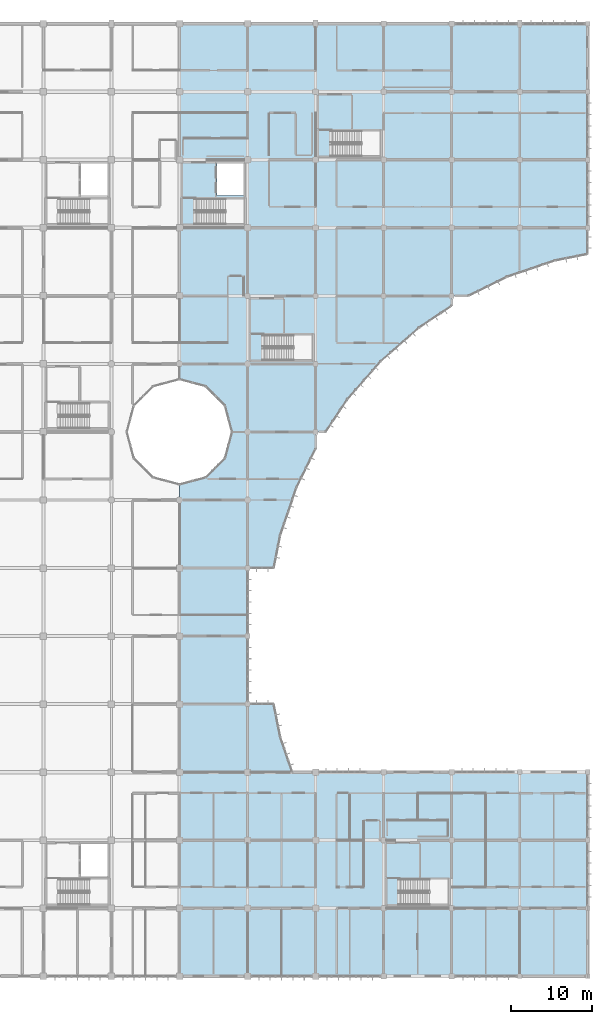
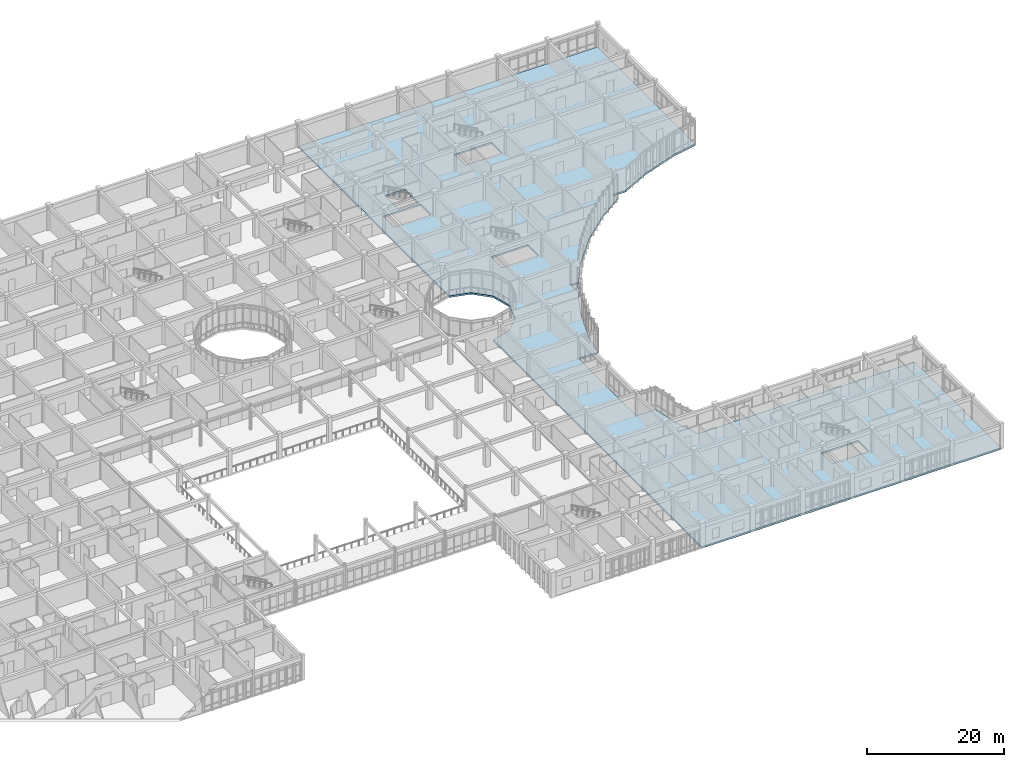
# One storey, part 87 of 144: 1 slab.
"""IFC4 building model written with IfcOpenShell, lengths in metres."""

from ifc_helpers import new_model, si_unit, direction, frame, origin, place, context, subcontext, project, spatial, polyline, outline, extrude, material, layer, layer_set, type_object, element, save


model = new_model("IFC4")

# Units and contexts
model_context = context("Model", 3, precision=1e-05, world=origin(), true_north=direction((0.0, 1.0)))
body_context = subcontext(model_context, "Body", "Model", "MODEL_VIEW")
ifc_project = project(units=[si_unit("LENGTHUNIT", "METRE"), si_unit("AREAUNIT", "SQUARE_METRE"), si_unit("VOLUMEUNIT", "CUBIC_METRE"), si_unit("PLANEANGLEUNIT", "RADIAN"), si_unit("MASSUNIT", "GRAM", prefix="KILO")], contexts=[model_context])

# Site, building, storey
site_placement = place(None, origin())
site = spatial("IfcSite", under=ifc_project, at=site_placement, CompositionType="ELEMENT")
building_placement = place(site_placement, origin())
building = spatial("IfcBuilding", under=site, at=building_placement, Name="Bramfleet General Hospital", CompositionType="ELEMENT")
storey_placement = place(building_placement, frame((0.0, 0.0, 4.800048828125)))
storey = spatial("IfcBuildingStorey", under=building, at=storey_placement, Name="L01", CompositionType="ELEMENT", Elevation=4.800048828125)

# Slab
ifc_material = material(Name="Concrete C35/45", Category="concrete")
ifc_layer = layer(ifc_material, 0.300048828125, Name="SL-FLR-300")
ifc_layer_set = layer_set([ifc_layer], Name="Concrete C35/45")
slab_type = type_object("IfcSlabType", Name="SL-FLR-300", PredefinedType="FLOOR", material=ifc_layer_set)
slab_placement = place(storey_placement, frame((0.0, 0.0, -0.300048828125)))
element("IfcSlab", 1, at=slab_placement, inside=storey, type_object=slab_type, Name="L01 Structural Floor Slab (EAST)", PredefinedType="FLOOR", context=body_context, shape_type="SweptSolid", body=[
    extrude(outline(polyline([(126.0, 117.60009765625), (134.39990234375, 117.60009765625), (142.800048828125, 117.60009765625), (151.199951171875, 117.60009765625), (159.60009765625, 117.60009765625), (168.0, 117.60009765625), (168.0, 109.199951171875), (168.0, 100.800048828125), (168.0, 92.39990234375), (168.0, 89.164794921875), (163.976806640625, 88.364501953125), (158.03125, 86.34619140625), (153.273681640625, 84.0), (151.199951171875, 84.0), (151.199951171875, 82.767333984375), (147.179443359375, 80.0810546875), (142.458984375, 75.941162109375), (138.319091796875, 71.220458984375), (135.632568359375, 67.199951171875), (134.39990234375, 67.199951171875), (134.39990234375, 65.12646484375), (132.0537109375, 60.368896484375), (130.03564453125, 54.42333984375), (129.2353515625, 50.39990234375), (126.0, 50.39990234375), (126.0, 42.0), (126.0, 33.60009765625), (129.2353515625, 33.60009765625), (130.03564453125, 29.57666015625), (131.521240234375, 25.199951171875), (168.0, 25.199951171875), (168.0, 16.800048828125), (168.0, 8.39990234375), (168.0, 0.0), (159.60009765625, 0.0), (151.199951171875, 0.0), (142.800048828125, 0.0), (134.39990234375, 0.0), (126.0, 0.0), (117.60009765625, 0.0), (117.60009765625, 60.800048828125), (120.800048828125, 61.657470703125), (123.142578125, 64.0), (124.0, 67.199951171875), (123.142578125, 70.39990234375), (120.800048828125, 72.74267578125), (117.60009765625, 73.60009765625), (117.60009765625, 117.60009765625), (126.0, 117.60009765625)]), holes=[polyline([(119.43994140625, 92.820068359375), (125.659912109375, 92.820068359375), (125.659912109375, 95.97998046875), (119.43994140625, 95.97998046875), (119.43994140625, 92.820068359375)]), polyline([(122.219970703125, 96.39990234375), (125.550048828125, 96.39990234375), (125.550048828125, 100.35009765625), (122.219970703125, 100.35009765625), (122.219970703125, 96.39990234375)]), polyline([(136.239990234375, 101.219970703125), (142.4599609375, 101.219970703125), (142.4599609375, 104.3798828125), (136.239990234375, 104.3798828125), (136.239990234375, 101.219970703125)]), polyline([(144.639892578125, 8.820068359375), (150.860107421875, 8.820068359375), (150.860107421875, 11.97998046875), (144.639892578125, 11.97998046875), (144.639892578125, 8.820068359375)]), polyline([(127.840087890625, 76.02001953125), (134.06005859375, 76.02001953125), (134.06005859375, 79.179931640625), (127.840087890625, 79.179931640625), (127.840087890625, 76.02001953125)])]), origin(), (0.0, 0.0, 1.0), 0.300048828125),
])

save(model, "model.ifc")
